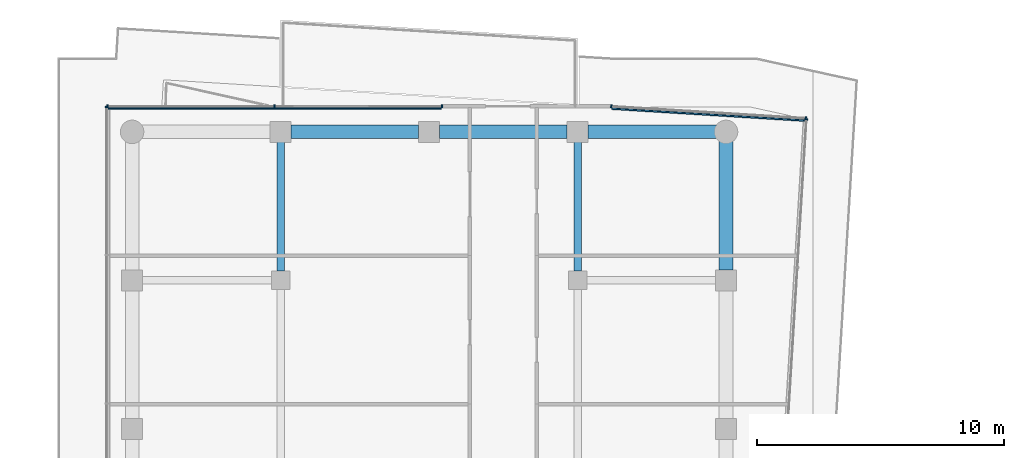
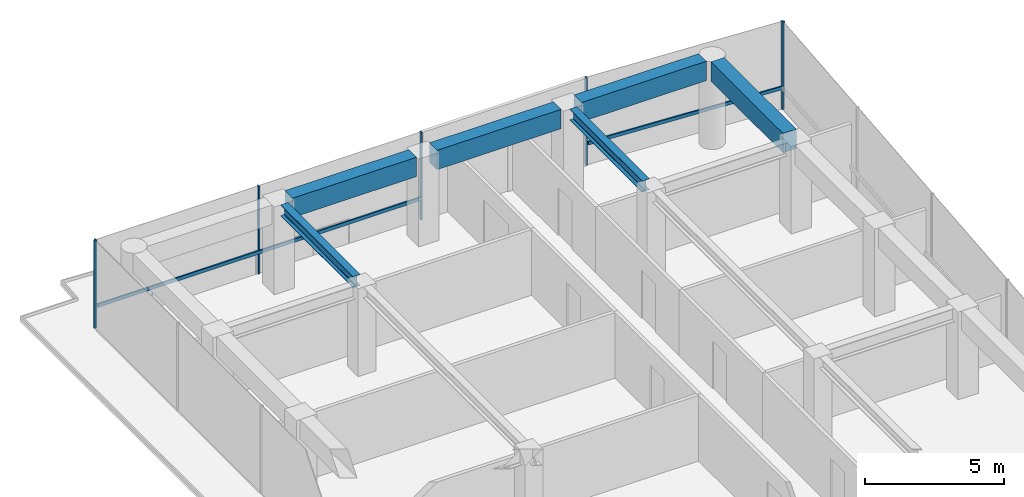
# One storey, part 16 of 22: 9 members, 6 beams, 4 elements without a shape of their own.
"""IFC4 building model written with IfcOpenShell, lengths in metres."""

import ifcopenshell
import ifcopenshell.guid

model = None  # the IFC model being written
_history = None  # IfcOwnerHistory: only IFC2X3 demands one
_inside = {}  # id of a spatial element -> (the spatial element, [elements in it])
_under = {}  # id of a project, library or spatial element -> (it, [spatial elements below it])
_declared = {}  # id of a project -> (the project, [libraries it declares])
_typed = {}  # id of a type object -> (the type object, [elements of that type])
_made_of = {}  # id of a material, layer set ... -> (it, [elements and type objects made of it])


def new_model(schema):
    """Start an empty IFC model of exactly this schema.

    Asked for "IFC4X3", IfcOpenShell would pick the latest addendum, in which some entities
    have other attributes; the version numbers below select the first issue.
    IFC2X3 requires an IfcOwnerHistory on every rooted entity: one is made here for all.
    """
    global model, _history
    if schema == "IFC4X3":
        model = ifcopenshell.file(schema_version=(4, 3, 0, 0))
    else:
        model = ifcopenshell.file(schema=schema)
    _inside.clear()
    _under.clear()
    _declared.clear()
    _typed.clear()
    _made_of.clear()
    _history = None
    if model.schema == "IFC2X3":
        org = make("IfcOrganization", Name="unknown")
        user = make(
            "IfcPersonAndOrganization",
            ThePerson=make("IfcPerson", FamilyName="unknown"),
            TheOrganization=org,
        )
        app = make(
            "IfcApplication",
            ApplicationDeveloper=org,
            Version="unknown",
            ApplicationFullName="unknown",
            ApplicationIdentifier="unknown",
        )
        _history = make(
            "IfcOwnerHistory",
            OwningUser=user,
            OwningApplication=app,
            ChangeAction="ADDED",
            CreationDate=0,
        )
    return model


def make(cls, **values):
    """One entity of the class cls with the attributes given. An attribute that is None is left unset."""
    return model.create_entity(
        cls, **{name: value for name, value in values.items() if value is not None}
    )


def rooted(cls, **values):
    """An entity with a GlobalId (a new one), such as an element, a storey or a relation."""
    return make(cls, GlobalId=ifcopenshell.guid.new(), OwnerHistory=_history, **values)


def si_unit(unit_type, name, prefix=None):
    """IfcSIUnit, for example si_unit("LENGTHUNIT", "METRE", prefix="MILLI")."""
    return make("IfcSIUnit", UnitType=unit_type, Prefix=prefix, Name=name)


def assignment(units):
    """IfcUnitAssignment: the units of a project."""
    return None if units is None else make("IfcUnitAssignment", Units=units)


def point(xyz):
    """IfcCartesianPoint."""
    return None if xyz is None else make("IfcCartesianPoint", Coordinates=xyz)


def direction(xyz):
    """IfcDirection."""
    return None if xyz is None else make("IfcDirection", DirectionRatios=xyz)


def frame(location, z_axis=None, x_axis=None):
    """IfcAxis2Placement3D, a coordinate frame: its origin and axes. An axis left out is left unset."""
    return make(
        "IfcAxis2Placement3D",
        Location=point(location),
        Axis=direction(z_axis),
        RefDirection=direction(x_axis),
    )


def frame_2d(location, x_axis=None):
    """IfcAxis2Placement2D, a coordinate frame in the plane: its origin and x axis."""
    return make(
        "IfcAxis2Placement2D", Location=point(location), RefDirection=direction(x_axis)
    )


def origin():
    """The frame at (0, 0, 0) with its axes left unset."""
    return frame((0.0, 0.0, 0.0))


def origin_2d():
    """The frame at (0, 0) in the plane with its x axis left unset."""
    return frame_2d((0.0, 0.0))


def place(relative_to, where):
    """IfcLocalPlacement: puts the frame where relative to a parent placement (None: the world)."""
    return make(
        "IfcLocalPlacement", PlacementRelTo=relative_to, RelativePlacement=where
    )


def context(
    kind, dimensions, precision=None, world=None, true_north=None, identifier=None
):
    """IfcGeometricRepresentationContext, for example the 3D "Model" context."""
    return make(
        "IfcGeometricRepresentationContext",
        ContextIdentifier=identifier,
        ContextType=kind,
        CoordinateSpaceDimension=dimensions,
        Precision=precision,
        WorldCoordinateSystem=world,
        TrueNorth=true_north,
    )


def subcontext(parent, identifier, kind, view, scale=None):
    """IfcGeometricRepresentationSubContext, for example "Body" below "Model"."""
    return make(
        "IfcGeometricRepresentationSubContext",
        ContextIdentifier=identifier,
        ContextType=kind,
        ParentContext=parent,
        TargetScale=scale,
        TargetView=view,
    )


def project(units=None, contexts=None):
    """IfcProject with its units and contexts."""
    return rooted(
        "IfcProject",
        Name="project",
        RepresentationContexts=contexts,
        UnitsInContext=assignment(units),
    )


def spatial(cls, under=None, at=None, **own):
    """A site, building, storey or space (cls), placed at a placement, below another one or the project."""
    s = rooted(cls, ObjectPlacement=at, **own)
    if under is not None:
        _under.setdefault(under.id(), (under, []))[1].append(s)
    return s


def profile(cls, at=None, kind="AREA", **sizes):
    """A parametric profile (cls). Its sizes go by their IFC names, for example OverallWidth=200.0."""
    return make(cls, ProfileType=kind, Position=at, **sizes)


def rectangle(**sizes):
    """IfcRectangleProfileDef."""
    return profile("IfcRectangleProfileDef", **sizes)


def i_section(**sizes):
    """IfcIShapeProfileDef."""
    return profile("IfcIShapeProfileDef", **sizes)


def extrude(swept, where, along, depth):
    """IfcExtrudedAreaSolid: the profile swept, set in the frame where, extruded along a direction by depth."""
    return make(
        "IfcExtrudedAreaSolid",
        SweptArea=swept,
        Position=where,
        ExtrudedDirection=direction(along),
        Depth=depth,
    )


def shape(context_of_items, identifier, shape_type, items):
    """IfcShapeRepresentation: the items that make up one representation, for example the "Body"."""
    return make(
        "IfcShapeRepresentation",
        ContextOfItems=context_of_items,
        RepresentationIdentifier=identifier,
        RepresentationType=shape_type,
        Items=items,
    )


def material(Name=None, Category=None):
    """IfcMaterial."""
    return make("IfcMaterial", Name=Name, Category=Category)


def layer(
    of_material, thickness, ventilated=None, Name=None, Category=None, Priority=None
):
    """IfcMaterialLayer: one layer of a wall or slab, of a material (None: an air gap)."""
    return make(
        "IfcMaterialLayer",
        Material=of_material,
        LayerThickness=thickness,
        IsVentilated=ventilated,
        Name=Name,
        Category=Category,
        Priority=Priority,
    )


def layer_set(layers, Name=None):
    """IfcMaterialLayerSet."""
    return make("IfcMaterialLayerSet", MaterialLayers=layers, LayerSetName=Name)


def material_profile(
    of_material, cross_section, Name=None, Category=None, Priority=None
):
    """IfcMaterialProfile: a cross section and its material."""
    return make(
        "IfcMaterialProfile",
        Name=Name,
        Material=of_material,
        Profile=cross_section,
        Priority=Priority,
        Category=Category,
    )


def profile_set(profiles, Name=None, composite=None):
    """IfcMaterialProfileSet."""
    return make(
        "IfcMaterialProfileSet",
        Name=Name,
        MaterialProfiles=profiles,
        CompositeProfile=composite,
    )


def made_of(thing, what):
    """Note that an element or type object is made of a material, layer set ...; save() writes the relation."""
    if what is not None:
        _made_of.setdefault(what.id(), (what, []))[1].append(thing)
    return thing


def type_object(cls, material=None, **own):
    """A type object (cls), such as IfcWallType, which elements share."""
    return made_of(rooted(cls, **own), material)


def element(
    cls,
    number,
    at=None,
    inside=None,
    cuts=None,
    type_object=None,
    material=None,
    context=None,
    identifier="Body",
    shape_type=None,
    held_by="IfcProductDefinitionShape",
    body=None,
    shapes=None,
    **own,
):
    """One element of the class cls, such as IfcWall. Its Tag is "e" and its number.

    at: its placement. inside: the storey or other place that contains it. cuts: it is an
    opening in that element (IfcRelVoidsElement). A single representation is given by context,
    identifier, shape_type and body (its items); several are given by shapes. held_by: the class
    of the entity that holds the representations. save() writes the other relations.
    """
    e = rooted(cls, Tag="e%d" % number, ObjectPlacement=at, **own)
    if body is not None:
        shapes = [shape(context, identifier, shape_type, body)]
    if shapes is not None:
        e.Representation = make(held_by, Representations=shapes)
    if inside is not None:
        _inside.setdefault(inside.id(), (inside, []))[1].append(e)
    if cuts is not None:
        rooted(
            "IfcRelVoidsElement", RelatingBuildingElement=cuts, RelatedOpeningElement=e
        )
    if type_object is not None:
        _typed.setdefault(type_object.id(), (type_object, []))[1].append(e)
    return made_of(e, material)


def aggregate(whole, parts):
    """IfcRelAggregates: a whole, such as a stair, and the parts it consists of."""
    return rooted("IfcRelAggregates", RelatingObject=whole, RelatedObjects=parts)


def save(model, path):
    """Write the relations noted so far, then the file.

    IfcRelAggregates (storeys below a building ...), IfcRelContainedInSpatialStructure (elements
    in a storey), IfcRelDefinesByType, IfcRelAssociatesMaterial and IfcRelDeclares: one each for
    every whole, place, type object, material and project.
    """
    for whole, parts in _under.values():
        aggregate(whole, parts)
    for where, things in _inside.values():
        rooted(
            "IfcRelContainedInSpatialStructure",
            RelatedElements=things,
            RelatingStructure=where,
        )
    for kind, things in _typed.values():
        rooted("IfcRelDefinesByType", RelatedObjects=things, RelatingType=kind)
    for what, things in _made_of.values():
        rooted("IfcRelAssociatesMaterial", RelatedObjects=things, RelatingMaterial=what)
    for by, libraries in _declared.values():
        rooted("IfcRelDeclares", RelatingContext=by, RelatedDefinitions=libraries)
    model.write(path)


model = new_model("IFC4")

# Units and contexts
model_context = context("Model", 3, precision=1e-05, world=origin(), true_north=direction((0.0, 1.0)))
body_context = subcontext(model_context, "Body", "Model", "MODEL_VIEW")
ifc_project = project(units=[si_unit("LENGTHUNIT", "METRE"), si_unit("AREAUNIT", "SQUARE_METRE"), si_unit("VOLUMEUNIT", "CUBIC_METRE"), si_unit("PLANEANGLEUNIT", "RADIAN"), si_unit("MASSUNIT", "GRAM", prefix="KILO")], contexts=[model_context])

# Site, building, storey
site_placement = place(None, origin())
site = spatial("IfcSite", under=ifc_project, at=site_placement, CompositionType="ELEMENT")
building_placement = place(site_placement, origin())
building = spatial("IfcBuilding", under=site, at=building_placement, Name="Welwitschia Terrace Campus", CompositionType="ELEMENT")
storey_placement = place(building_placement, frame((0.0, 0.0, 155.0)))
storey = spatial("IfcBuildingStorey", under=building, at=storey_placement, Name="L34", CompositionType="ELEMENT", Elevation=155.0)

# Beams
ifc_material_1 = material(Name="Steel S355", Category="steel")
ifc_material_profile_1 = material_profile(ifc_material_1, i_section(OverallWidth=0.300048828125, OverallDepth=0.489990234375, WebThickness=0.011962890625, FlangeThickness=0.02294921875, FilletRadius=0.027099609375, at=origin_2d()))
ifc_profile_set_1 = profile_set([ifc_material_profile_1], Name="Steel S355")
beam_type_1 = type_object("IfcBeamType", Name="Interior girder HE 500 A", PredefinedType="BEAM", material=ifc_profile_set_1)
for number, where, z_axis, x_axis, name in (
    (1, (6.0, 56.37548828125, 3.60498046875), (0.0, 1.0, 0.0), (-1.0, 0.0, 0.0), "Girder GB4"),
    (2, (18.0, 56.37548828125, 3.60498046875), (0.0, 1.0, 0.0), (-1.0, 0.0, 0.0), "Girder GB4"),
):
    element("IfcBeam", number, at=place(storey_placement, frame(where, z_axis=z_axis, x_axis=x_axis)), inside=storey, type_object=beam_type_1, Name=name, PredefinedType="BEAM", context=body_context, shape_type="SweptSolid", body=[
        extrude(i_section(OverallWidth=0.300048828125, OverallDepth=0.489990234375, WebThickness=0.011962890625, FlangeThickness=0.02294921875, FilletRadius=0.027099609375, at=origin_2d()), origin(), (0.0, 0.0, 1.0), 5.208984375),
    ])

# Curtain wall, member
ifc_material_2 = material(Name="Bronze anodised aluminium", Category="aluminium")
ifc_layer = layer(ifc_material_2, 0.1201171875)
ifc_layer_set = layer_set([ifc_layer], Name="Bronze anodised aluminium")
curtain_wall_type = type_object("IfcCurtainWallType", Name="Curtain wall CW2 tower 6000", PredefinedType="NOTDEFINED", material=ifc_layer_set)
curtain_wall_1_placement = place(storey_placement, origin())
curtain_wall_1 = element("IfcCurtainWall", 3, at=curtain_wall_1_placement, inside=storey, type_object=curtain_wall_type, Name="CW L34.8.0", PredefinedType="NOTDEFINED")
ifc_material_3 = material(Name="Bronze anodised aluminium", Category="aluminium")
ifc_material_profile_2 = material_profile(ifc_material_3, rectangle(XDim=0.1201171875, YDim=0.06005859375, at=origin_2d()))
ifc_profile_set_2 = profile_set([ifc_material_profile_2], Name="Bronze anodised aluminium")
member_type_1 = type_object("IfcMemberType", Name="Mullion 60x120", PredefinedType="MULLION", material=ifc_profile_set_2)
member_1_placement = place(storey_placement, frame((27.248291015625, 62.511474609375, 0.0), z_axis=(0.0, 0.0, 1.0), x_axis=(-0.998134798422, 0.061048539535, 0.0)))
member_1 = element("IfcMember", 4, at=member_1_placement, type_object=member_type_1, Name="Mullion L34.8.0.6", PredefinedType="MULLION", context=body_context, shape_type="SweptSolid", body=[
    extrude(rectangle(XDim=0.1201171875, YDim=0.06005859375, at=origin_2d()), origin(), (0.0, 0.0, 1.0), 3.85009765625),
])
aggregate(curtain_wall_1, [member_1])

# Curtain wall, members
curtain_wall_2_placement = place(storey_placement, origin())
curtain_wall_2 = element("IfcCurtainWall", 5, at=curtain_wall_2_placement, inside=storey, type_object=curtain_wall_type, Name="CW L34.9.0", PredefinedType="NOTDEFINED")
member_2_placement = place(storey_placement, frame((27.22021484375, 62.543212890625, 0.0), z_axis=(0.0, 0.0, 1.0), x_axis=(-0.061586020702, -0.998101779406, 0.0)))
member_2 = element("IfcMember", 6, at=member_2_placement, type_object=member_type_1, Name="Mullion L34.9.0.0", PredefinedType="MULLION", context=body_context, shape_type="SweptSolid", body=[
    extrude(rectangle(XDim=0.1201171875, YDim=0.06005859375, at=origin_2d()), origin(), (0.0, 0.0, 1.0), 3.85009765625),
])
member_3_placement = place(storey_placement, frame((19.361572265625, 63.028076171875, 0.0), z_axis=(0.0, 0.0, 1.0), x_axis=(-0.061586020702, -0.998101779406, 0.0)))
member_3 = element("IfcMember", 7, at=member_3_placement, type_object=member_type_1, Name="Mullion L34.9.0.1", PredefinedType="MULLION", context=body_context, shape_type="SweptSolid", body=[
    extrude(rectangle(XDim=0.1201171875, YDim=0.06005859375, at=origin_2d()), origin(), (0.0, 0.0, 1.0), 3.85009765625),
])

curtain_wall_3_placement = place(storey_placement, origin())
curtain_wall_3 = element("IfcCurtainWall", 8, at=curtain_wall_3_placement, inside=storey, type_object=curtain_wall_type, Name="CW L34.10.1", PredefinedType="NOTDEFINED")
member_4_placement = place(storey_placement, frame((12.514404296875, 63.030029296875, 0.0), z_axis=(0.0, 0.0, 1.0), x_axis=(0.0, -1.0, 0.0)))
member_4 = element("IfcMember", 9, at=member_4_placement, type_object=member_type_1, Name="Mullion L34.10.1.0", PredefinedType="MULLION", context=body_context, shape_type="SweptSolid", body=[
    extrude(rectangle(XDim=0.1201171875, YDim=0.06005859375, at=origin_2d()), origin(), (0.0, 0.0, 1.0), 3.85009765625),
])
member_5_placement = place(storey_placement, frame((5.75732421875, 63.030029296875, 0.0), z_axis=(0.0, 0.0, 1.0), x_axis=(0.0, -1.0, 0.0)))
member_5 = element("IfcMember", 10, at=member_5_placement, type_object=member_type_1, Name="Mullion L34.10.1.1", PredefinedType="MULLION", context=body_context, shape_type="SweptSolid", body=[
    extrude(rectangle(XDim=0.1201171875, YDim=0.06005859375, at=origin_2d()), origin(), (0.0, 0.0, 1.0), 3.85009765625),
])
member_6_placement = place(storey_placement, frame((-1.0, 63.030029296875, 0.0), z_axis=(0.0, 0.0, 1.0), x_axis=(0.0, -1.0, 0.0)))
member_6 = element("IfcMember", 11, at=member_6_placement, type_object=member_type_1, Name="Mullion L34.10.1.2", PredefinedType="MULLION", context=body_context, shape_type="SweptSolid", body=[
    extrude(rectangle(XDim=0.1201171875, YDim=0.06005859375, at=origin_2d()), origin(), (0.0, 0.0, 1.0), 3.85009765625),
])

# Curtain wall, member
curtain_wall_4_placement = place(storey_placement, origin())
curtain_wall_4 = element("IfcCurtainWall", 12, at=curtain_wall_4_placement, inside=storey, type_object=curtain_wall_type, Name="CW L34.11.0", PredefinedType="NOTDEFINED")
member_7_placement = place(storey_placement, frame((-1.030029296875, 63.0, 0.0), z_axis=(0.0, 0.0, 1.0), x_axis=(1.0, 0.0, 0.0)))
member_7 = element("IfcMember", 13, at=member_7_placement, type_object=member_type_1, Name="Mullion L34.11.0.0", PredefinedType="MULLION", context=body_context, shape_type="SweptSolid", body=[
    extrude(rectangle(XDim=0.1201171875, YDim=0.06005859375, at=origin_2d()), origin(), (0.0, 0.0, 1.0), 3.85009765625),
])
aggregate(curtain_wall_4, [member_7])

# Beams
ifc_material_4 = material(Name="Concrete C50/60", Category="concrete")
ifc_material_profile_3 = material_profile(ifc_material_4, rectangle(XDim=0.550048828125, YDim=0.85009765625, at=origin_2d()))
ifc_profile_set_3 = profile_set([ifc_material_profile_3], Name="Concrete C50/60")
beam_type_2 = type_object("IfcBeamType", Name="Ring spandrel 550x850", PredefinedType="SPANDREL", material=ifc_profile_set_3)
for number, where, z_axis, x_axis, name in (
    (14, (24.0, 56.425537109375, 3.425048828125), (0.0, 1.0, 0.0), (-1.0, 0.0, 0.0), "Spandrel SP3"),
    (15, (23.612060546875, 62.0, 3.425048828125), (-1.0, 0.0, 0.0), (0.0, -1.0, 0.0), "Spandrel SP3"),
):
    element("IfcBeam", number, at=place(storey_placement, frame(where, z_axis=z_axis, x_axis=x_axis)), inside=storey, type_object=beam_type_2, Name=name, PredefinedType="SPANDREL", context=body_context, shape_type="SweptSolid", body=[
        extrude(rectangle(XDim=0.550048828125, YDim=0.85009765625, at=origin_2d()), origin(), (0.0, 0.0, 1.0), 5.1865234375),
    ])
for number, where, z_axis, x_axis, name in (
    (16, (17.574462890625, 62.0, 3.425048828125), (-1.0, 0.0, 0.0), (0.0, -1.0, 0.0), "Spandrel SP3"),
    (17, (11.574462890625, 62.0, 3.425048828125), (-1.0, 0.0, 0.0), (0.0, -1.0, 0.0), "Spandrel SP3"),
):
    element("IfcBeam", number, at=place(storey_placement, frame(where, z_axis=z_axis, x_axis=x_axis)), inside=storey, type_object=beam_type_2, Name=name, PredefinedType="SPANDREL", context=body_context, shape_type="SweptSolid", body=[
        extrude(rectangle(XDim=0.550048828125, YDim=0.85009765625, at=origin_2d()), origin(), (0.0, 0.0, 1.0), 5.14892578125),
    ])

# Member
ifc_material_5 = material(Name="Bronze anodised aluminium", Category="aluminium")
ifc_material_profile_4 = material_profile(ifc_material_5, rectangle(XDim=0.06005859375, YDim=0.14990234375, at=origin_2d()))
ifc_profile_set_4 = profile_set([ifc_material_profile_4], Name="Bronze anodised aluminium")
member_type_2 = type_object("IfcMemberType", Name="Transom 60x150", PredefinedType="USERDEFINED", material=ifc_profile_set_4)
member_8_placement = place(storey_placement, frame((27.184814453125, 62.455322265625, 1.0), z_axis=(-0.998101866456, 0.061584609904, 0.0), x_axis=(-0.061584609904, -0.998101866456, 0.0)))
member_8 = element("IfcMember", 18, at=member_8_placement, type_object=member_type_2, Name="Transom L34.9.0", ObjectType="TRANSOM", PredefinedType="USERDEFINED", context=body_context, shape_type="SweptSolid", body=[
    extrude(rectangle(XDim=0.06005859375, YDim=0.14990234375, at=origin_2d()), origin(), (0.0, 0.0, 1.0), 7.813720703125),
])

aggregate(curtain_wall_2, [member_2, member_3, member_8])

member_9_placement = place(storey_placement, frame((12.484375, 62.93994140625, 1.0), z_axis=(-1.0, 0.0, 0.0), x_axis=(0.0, -1.0, 0.0)))
member_9 = element("IfcMember", 19, at=member_9_placement, type_object=member_type_2, Name="Transom L34.10.1", ObjectType="TRANSOM", PredefinedType="USERDEFINED", context=body_context, shape_type="SweptSolid", body=[
    extrude(rectangle(XDim=0.06005859375, YDim=0.14990234375, at=origin_2d()), origin(), (0.0, 0.0, 1.0), 13.454345703125),
])

aggregate(curtain_wall_3, [member_4, member_5, member_6, member_9])

save(model, "model.ifc")
